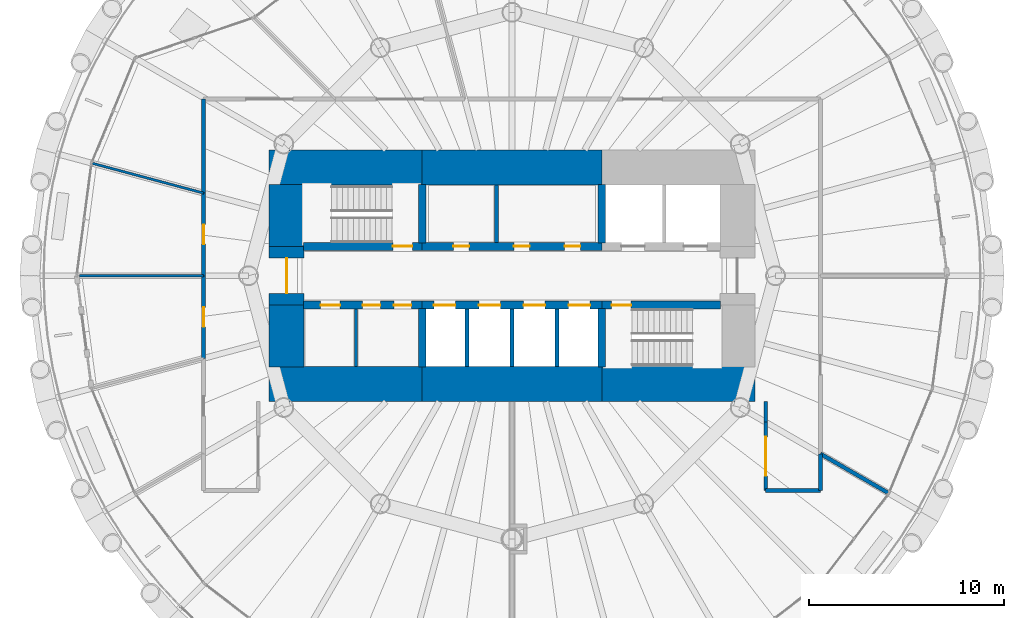
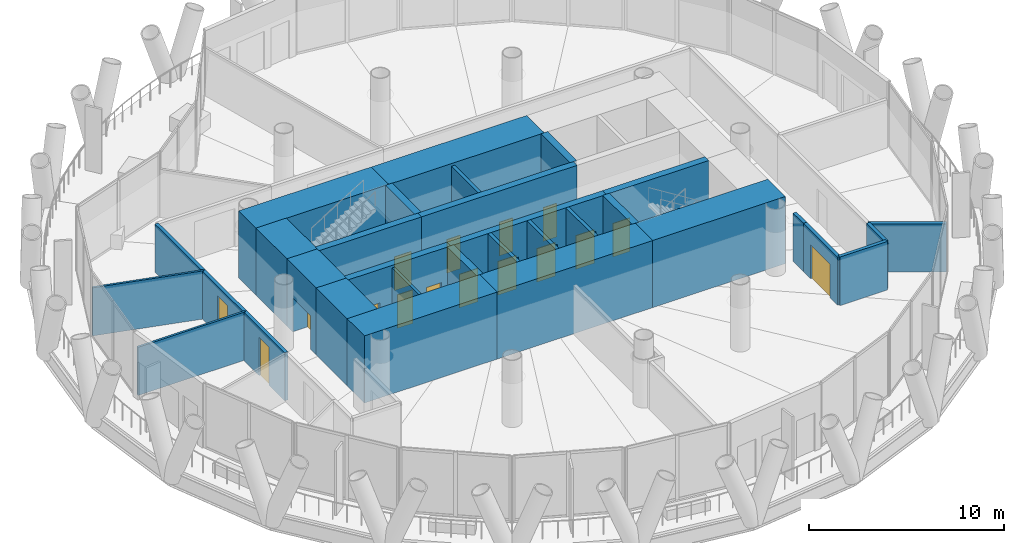
# One storey, part 9 of 14: 32 walls, 16 doors, 16 openings.
"""IFC4 building model written with IfcOpenShell, lengths in metres."""

from ifc_helpers import new_model, si_unit, direction, frame, frame_2d, origin, place, context, subcontext, project, spatial, rectangle, extrude, material, layer, layer_set, type_object, element, fill, save


model = new_model("IFC4")

# Units and contexts
model_context = context("Model", 3, precision=1e-05, world=origin(), true_north=direction((0.0, 1.0)))
body_context = subcontext(model_context, "Body", "Model", "MODEL_VIEW")
ifc_project = project(units=[si_unit("LENGTHUNIT", "METRE"), si_unit("AREAUNIT", "SQUARE_METRE"), si_unit("VOLUMEUNIT", "CUBIC_METRE"), si_unit("PLANEANGLEUNIT", "RADIAN"), si_unit("MASSUNIT", "GRAM", prefix="KILO")], contexts=[model_context])

# Site, building, storey
site_placement = place(None, origin())
site = spatial("IfcSite", under=ifc_project, at=site_placement, CompositionType="ELEMENT")
building_placement = place(site_placement, origin())
building = spatial("IfcBuilding", under=site, at=building_placement, Name="Qaws Media Tower", CompositionType="ELEMENT")
storey_placement = place(building_placement, frame((0.0, 0.0, 160.39990234375)))
storey = spatial("IfcBuildingStorey", under=building, at=storey_placement, Name="L36", CompositionType="ELEMENT", Elevation=160.39990234375)

# Wall, opening, door
ifc_material_1 = material(Name="Concrete C60/75", Category="concrete")
ifc_layer_1 = layer(ifc_material_1, 0.39990234375)
ifc_layer_set_1 = layer_set([ifc_layer_1], Name="Core inner wall 400")
wall_type_1 = type_object("IfcWallType", Name="Core inner wall 400", PredefinedType="SHEAR", material=ifc_layer_set_1)
wall_1_placement = place(storey_placement, frame((49.330078125, 51.5, 0.0), z_axis=(0.0, 0.0, 1.0), x_axis=(1.0, 0.0, 0.0)))
wall_1 = element("IfcWall", 1, at=wall_1_placement, inside=storey, type_object=wall_type_1, Name="W321 SW4 core wall SPNW L36", PredefinedType="SHEAR", context=body_context, shape_type="SweptSolid", body=[
    extrude(rectangle(XDim=6.06982421875, YDim=0.39990234375, at=frame_2d((3.034912109375, 0.0))), origin(), (0.0, 0.0, 1.0), 4.2001953125),
])
opening_1_placement = place(wall_1_placement, frame((4.570068359375, 0.0, 0.0)))
opening_1 = element("IfcOpeningElement", 2, at=opening_1_placement, cuts=wall_1, Name="Opening D1", PredefinedType="OPENING", context=body_context, shape_type="SweptSolid", body=[
    extrude(rectangle(XDim=1.0, YDim=2.10009765625, at=frame_2d((0.5, 1.050048828125))), frame((0.0, 0.2099609375, 0.0), z_axis=(0.0, -1.0, 0.0), x_axis=(1.0, 0.0, 0.0)), (0.0, 0.0, 1.0), 0.419921875),
])
ifc_material_2 = material(Name="Steel, fire rated", Category="steel")
door_type_1 = type_object("IfcDoorType", Name="Stair door 1000 FD120", OperationType="SINGLE_SWING_LEFT", PredefinedType="DOOR", material=ifc_material_2)
door_1_placement = place(opening_1_placement, origin())
door_1 = element("IfcDoor", 3, at=door_1_placement, inside=storey, type_object=door_type_1, Name="D1 stair S1 door L36 in wall W321", OperationType="SINGLE_SWING_LEFT", OverallHeight=2.10009765625, OverallWidth=1.0, PredefinedType="DOOR", context=body_context, shape_type="SweptSolid", body=[
    extrude(rectangle(XDim=1.0, YDim=2.10009765625, at=frame_2d((0.5, 1.050048828125))), frame((0.0, 0.02490234375, 0.0), z_axis=(0.0, -1.0, 0.0), x_axis=(1.0, 0.0, 0.0)), (0.0, 0.0, 1.0), 0.050048828125),
])
fill(opening_1, door_1)

# Wall, openings, doors
wall_2_placement = place(storey_placement, frame((55.39990234375, 51.5, 0.0), z_axis=(0.0, 0.0, 1.0), x_axis=(1.0, 0.0, 0.0)))
wall_2 = element("IfcWall", 4, at=wall_2_placement, inside=storey, type_object=wall_type_1, Name="W314 SW4 core wall SPN L36", PredefinedType="SHEAR", context=body_context, shape_type="SweptSolid", body=[
    extrude(rectangle(XDim=9.2001953125, YDim=0.39990234375, at=frame_2d((4.60009765625, 0.0))), origin(), (0.0, 0.0, 1.0), 4.2001953125),
])
opening_2_placement = place(wall_2_placement, frame((1.60009765625, 0.0, 0.0)))
opening_2 = element("IfcOpeningElement", 5, at=opening_2_placement, cuts=wall_2, Name="Opening D23", PredefinedType="OPENING", context=body_context, shape_type="SweptSolid", body=[
    extrude(rectangle(XDim=0.800048828125, YDim=2.10009765625, at=frame_2d((0.39990234375, 1.050048828125))), frame((0.0, 0.2099609375, 0.0), z_axis=(0.0, -1.0, 0.0), x_axis=(1.0, 0.0, 0.0)), (0.0, 0.0, 1.0), 0.419921875),
])
opening_3_placement = place(wall_2_placement, frame((4.699951171875, 0.0, 0.0)))
opening_3 = element("IfcOpeningElement", 6, at=opening_3_placement, cuts=wall_2, Name="Opening D23", PredefinedType="OPENING", context=body_context, shape_type="SweptSolid", body=[
    extrude(rectangle(XDim=0.800048828125, YDim=2.10009765625, at=frame_2d((0.39990234375, 1.050048828125))), frame((0.0, 0.2099609375, 0.0), z_axis=(0.0, -1.0, 0.0), x_axis=(1.0, 0.0, 0.0)), (0.0, 0.0, 1.0), 0.419921875),
])
opening_4_placement = place(wall_2_placement, frame((7.300048828125, 0.0, 0.0)))
opening_4 = element("IfcOpeningElement", 7, at=opening_4_placement, cuts=wall_2, Name="Opening D23", PredefinedType="OPENING", context=body_context, shape_type="SweptSolid", body=[
    extrude(rectangle(XDim=0.800048828125, YDim=2.10009765625, at=frame_2d((0.39990234375, 1.050048828125))), frame((0.0, 0.2099609375, 0.0), z_axis=(0.0, -1.0, 0.0), x_axis=(1.0, 0.0, 0.0)), (0.0, 0.0, 1.0), 0.419921875),
])
ifc_material_3 = material(Name="Steel, fire rated", Category="steel")
door_type_2 = type_object("IfcDoorType", Name="Core room door 800x2100", OperationType="SINGLE_SWING_LEFT", PredefinedType="DOOR", material=ifc_material_3)
door_2_placement = place(opening_2_placement, origin())
door_2 = element("IfcDoor", 8, at=door_2_placement, inside=storey, type_object=door_type_2, Name="D23 Ladies toilets door L36 in wall W314", OperationType="SINGLE_SWING_LEFT", OverallHeight=2.10009765625, OverallWidth=0.800048828125, PredefinedType="DOOR", context=body_context, shape_type="SweptSolid", body=[
    extrude(rectangle(XDim=0.800048828125, YDim=2.10009765625, at=frame_2d((0.39990234375, 1.050048828125))), frame((0.0, 0.02490234375, 0.0), z_axis=(0.0, -1.0, 0.0), x_axis=(1.0, 0.0, 0.0)), (0.0, 0.0, 1.0), 0.050048828125),
])
fill(opening_2, door_2)
door_3_placement = place(opening_3_placement, origin())
door_3 = element("IfcDoor", 9, at=door_3_placement, inside=storey, type_object=door_type_2, Name="D23 Gents toilets door L36 2 in wall W314", OperationType="SINGLE_SWING_LEFT", OverallHeight=2.10009765625, OverallWidth=0.800048828125, PredefinedType="DOOR", context=body_context, shape_type="SweptSolid", body=[
    extrude(rectangle(XDim=0.800048828125, YDim=2.10009765625, at=frame_2d((0.39990234375, 1.050048828125))), frame((0.0, 0.02490234375, 0.0), z_axis=(0.0, -1.0, 0.0), x_axis=(1.0, 0.0, 0.0)), (0.0, 0.0, 1.0), 0.050048828125),
])
fill(opening_3, door_3)
door_4_placement = place(opening_4_placement, origin())
door_4 = element("IfcDoor", 10, at=door_4_placement, inside=storey, type_object=door_type_2, Name="D23 Gents toilets door L36 3 in wall W314", OperationType="SINGLE_SWING_LEFT", OverallHeight=2.10009765625, OverallWidth=0.800048828125, PredefinedType="DOOR", context=body_context, shape_type="SweptSolid", body=[
    extrude(rectangle(XDim=0.800048828125, YDim=2.10009765625, at=frame_2d((0.39990234375, 1.050048828125))), frame((0.0, 0.02490234375, 0.0), z_axis=(0.0, -1.0, 0.0), x_axis=(1.0, 0.0, 0.0)), (0.0, 0.0, 1.0), 0.050048828125),
])
fill(opening_4, door_4)

wall_3_placement = place(storey_placement, frame((49.330078125, 48.5, 0.0), z_axis=(0.0, 0.0, 1.0), x_axis=(1.0, 0.0, 0.0)))
wall_3 = element("IfcWall", 11, at=wall_3_placement, inside=storey, type_object=wall_type_1, Name="W320 SW4 core wall SPSW L36", PredefinedType="SHEAR", context=body_context, shape_type="SweptSolid", body=[
    extrude(rectangle(XDim=6.06982421875, YDim=0.39990234375, at=frame_2d((3.034912109375, 0.0))), origin(), (0.0, 0.0, 1.0), 4.2001953125),
])
opening_5_placement = place(wall_3_placement, frame((0.8701171875, 0.0, 0.0)))
opening_5 = element("IfcOpeningElement", 12, at=opening_5_placement, cuts=wall_3, Name="Opening D4", PredefinedType="OPENING", context=body_context, shape_type="SweptSolid", body=[
    extrude(rectangle(XDim=1.0, YDim=2.10009765625, at=frame_2d((0.5, 1.050048828125))), frame((0.0, 0.2099609375, 0.0), z_axis=(0.0, -1.0, 0.0), x_axis=(1.0, 0.0, 0.0)), (0.0, 0.0, 1.0), 0.419921875),
])
opening_6_placement = place(wall_3_placement, frame((3.02001953125, 0.0, 0.0)))
opening_6 = element("IfcOpeningElement", 13, at=opening_6_placement, cuts=wall_3, Name="Opening D3", PredefinedType="OPENING", context=body_context, shape_type="SweptSolid", body=[
    extrude(rectangle(XDim=0.89990234375, YDim=2.10009765625, at=frame_2d((0.449951171875, 1.050048828125))), frame((0.0, 0.2099609375, 0.0), z_axis=(0.0, -1.0, 0.0), x_axis=(1.0, 0.0, 0.0)), (0.0, 0.0, 1.0), 0.419921875),
])
opening_7_placement = place(wall_3_placement, frame((4.6201171875, 0.0, 0.0)))
opening_7 = element("IfcOpeningElement", 14, at=opening_7_placement, cuts=wall_3, Name="Opening D3", PredefinedType="OPENING", context=body_context, shape_type="SweptSolid", body=[
    extrude(rectangle(XDim=0.89990234375, YDim=2.10009765625, at=frame_2d((0.449951171875, 1.050048828125))), frame((0.0, 0.2099609375, 0.0), z_axis=(0.0, -1.0, 0.0), x_axis=(1.0, 0.0, 0.0)), (0.0, 0.0, 1.0), 0.419921875),
])
ifc_material_4 = material(Name="Timber veneered", Category="wood")
door_type_3 = type_object("IfcDoorType", Name="Accessible WC door 1000", OperationType="SLIDING_TO_LEFT", PredefinedType="DOOR", material=ifc_material_4)
door_5_placement = place(opening_5_placement, origin())
door_5 = element("IfcDoor", 15, at=door_5_placement, inside=storey, type_object=door_type_3, Name="D4 toilet door 1 L36 in wall W320", OperationType="SLIDING_TO_LEFT", OverallHeight=2.10009765625, OverallWidth=1.0, PredefinedType="DOOR", context=body_context, shape_type="SweptSolid", body=[
    extrude(rectangle(XDim=1.0, YDim=2.10009765625, at=frame_2d((0.5, 1.050048828125))), frame((0.0, 0.02490234375, 0.0), z_axis=(0.0, -1.0, 0.0), x_axis=(1.0, 0.0, 0.0)), (0.0, 0.0, 1.0), 0.050048828125),
])
fill(opening_5, door_5)
ifc_material_5 = material(Name="Timber veneered", Category="wood")
door_type_4 = type_object("IfcDoorType", Name="Toilet door 900", OperationType="SINGLE_SWING_RIGHT", PredefinedType="DOOR", material=ifc_material_5)
door_6_placement = place(opening_6_placement, origin())
door_6 = element("IfcDoor", 16, at=door_6_placement, inside=storey, type_object=door_type_4, Name="D3 toilet door 2 L36 in wall W320", OperationType="SINGLE_SWING_RIGHT", OverallHeight=2.10009765625, OverallWidth=0.89990234375, PredefinedType="DOOR", context=body_context, shape_type="SweptSolid", body=[
    extrude(rectangle(XDim=0.89990234375, YDim=2.10009765625, at=frame_2d((0.449951171875, 1.050048828125))), frame((0.0, 0.02490234375, 0.0), z_axis=(0.0, -1.0, 0.0), x_axis=(1.0, 0.0, 0.0)), (0.0, 0.0, 1.0), 0.050048828125),
])
fill(opening_6, door_6)
door_7_placement = place(opening_7_placement, origin())
door_7 = element("IfcDoor", 17, at=door_7_placement, inside=storey, type_object=door_type_4, Name="D3 toilet door 3 L36 in wall W320", OperationType="SINGLE_SWING_RIGHT", OverallHeight=2.10009765625, OverallWidth=0.89990234375, PredefinedType="DOOR", context=body_context, shape_type="SweptSolid", body=[
    extrude(rectangle(XDim=0.89990234375, YDim=2.10009765625, at=frame_2d((0.449951171875, 1.050048828125))), frame((0.0, 0.02490234375, 0.0), z_axis=(0.0, -1.0, 0.0), x_axis=(1.0, 0.0, 0.0)), (0.0, 0.0, 1.0), 0.050048828125),
])
fill(opening_7, door_7)

wall_4_placement = place(storey_placement, frame((55.39990234375, 48.5, 0.0), z_axis=(0.0, 0.0, 1.0), x_axis=(1.0, 0.0, 0.0)))
wall_4 = element("IfcWall", 18, at=wall_4_placement, inside=storey, type_object=wall_type_1, Name="W313 SW4 core wall SPS L36", PredefinedType="SHEAR", context=body_context, shape_type="SweptSolid", body=[
    extrude(rectangle(XDim=9.2001953125, YDim=0.39990234375, at=frame_2d((4.60009765625, 0.0))), origin(), (0.0, 0.0, 1.0), 4.2001953125),
])
opening_8_placement = place(wall_4_placement, frame((0.60009765625, 0.0, 0.0)))
opening_8 = element("IfcOpeningElement", 19, at=opening_8_placement, cuts=wall_4, Name="Opening LD", PredefinedType="OPENING", context=body_context, shape_type="SweptSolid", body=[
    extrude(rectangle(XDim=1.10009765625, YDim=2.10009765625, at=frame_2d((0.550048828125, 1.050048828125))), frame((0.0, 0.2099609375, 0.0), z_axis=(0.0, -1.0, 0.0), x_axis=(1.0, 0.0, 0.0)), (0.0, 0.0, 1.0), 0.419921875),
])
opening_9_placement = place(wall_4_placement, frame((2.89990234375, 0.0, 0.0)))
opening_9 = element("IfcOpeningElement", 20, at=opening_9_placement, cuts=wall_4, Name="Opening LD", PredefinedType="OPENING", context=body_context, shape_type="SweptSolid", body=[
    extrude(rectangle(XDim=1.10009765625, YDim=2.10009765625, at=frame_2d((0.550048828125, 1.050048828125))), frame((0.0, 0.2099609375, 0.0), z_axis=(0.0, -1.0, 0.0), x_axis=(1.0, 0.0, 0.0)), (0.0, 0.0, 1.0), 0.419921875),
])
opening_10_placement = place(wall_4_placement, frame((5.199951171875, 0.0, 0.0)))
opening_10 = element("IfcOpeningElement", 21, at=opening_10_placement, cuts=wall_4, Name="Opening LD", PredefinedType="OPENING", context=body_context, shape_type="SweptSolid", body=[
    extrude(rectangle(XDim=1.10009765625, YDim=2.10009765625, at=frame_2d((0.550048828125, 1.050048828125))), frame((0.0, 0.2099609375, 0.0), z_axis=(0.0, -1.0, 0.0), x_axis=(1.0, 0.0, 0.0)), (0.0, 0.0, 1.0), 0.419921875),
])
opening_11_placement = place(wall_4_placement, frame((7.5, 0.0, 0.0)))
opening_11 = element("IfcOpeningElement", 22, at=opening_11_placement, cuts=wall_4, Name="Opening LD", PredefinedType="OPENING", context=body_context, shape_type="SweptSolid", body=[
    extrude(rectangle(XDim=1.10009765625, YDim=2.10009765625, at=frame_2d((0.550048828125, 1.050048828125))), frame((0.0, 0.2099609375, 0.0), z_axis=(0.0, -1.0, 0.0), x_axis=(1.0, 0.0, 0.0)), (0.0, 0.0, 1.0), 0.419921875),
])
ifc_material_6 = material(Name="Steel, fire rated", Category="steel")
door_type_5 = type_object("IfcDoorType", Name="Lift landing door 1100", OperationType="SLIDING_TO_LEFT", PredefinedType="DOOR", material=ifc_material_6)
door_8_placement = place(opening_8_placement, origin())
door_8 = element("IfcDoor", 23, at=door_8_placement, inside=storey, type_object=door_type_5, Name="P5 landing door L36 in wall W313", OperationType="SLIDING_TO_LEFT", OverallHeight=2.10009765625, OverallWidth=1.10009765625, PredefinedType="DOOR", context=body_context, shape_type="SweptSolid", body=[
    extrude(rectangle(XDim=1.10009765625, YDim=2.10009765625, at=frame_2d((0.550048828125, 1.050048828125))), frame((0.0, 0.02490234375, 0.0), z_axis=(0.0, -1.0, 0.0), x_axis=(1.0, 0.0, 0.0)), (0.0, 0.0, 1.0), 0.050048828125),
])
fill(opening_8, door_8)
door_9_placement = place(opening_9_placement, origin())
door_9 = element("IfcDoor", 24, at=door_9_placement, inside=storey, type_object=door_type_5, Name="P6 landing door L36 in wall W313", OperationType="SLIDING_TO_LEFT", OverallHeight=2.10009765625, OverallWidth=1.10009765625, PredefinedType="DOOR", context=body_context, shape_type="SweptSolid", body=[
    extrude(rectangle(XDim=1.10009765625, YDim=2.10009765625, at=frame_2d((0.550048828125, 1.050048828125))), frame((0.0, 0.02490234375, 0.0), z_axis=(0.0, -1.0, 0.0), x_axis=(1.0, 0.0, 0.0)), (0.0, 0.0, 1.0), 0.050048828125),
])
fill(opening_9, door_9)
door_10_placement = place(opening_10_placement, origin())
door_10 = element("IfcDoor", 25, at=door_10_placement, inside=storey, type_object=door_type_5, Name="P7 landing door L36 in wall W313", OperationType="SLIDING_TO_LEFT", OverallHeight=2.10009765625, OverallWidth=1.10009765625, PredefinedType="DOOR", context=body_context, shape_type="SweptSolid", body=[
    extrude(rectangle(XDim=1.10009765625, YDim=2.10009765625, at=frame_2d((0.550048828125, 1.050048828125))), frame((0.0, 0.02490234375, 0.0), z_axis=(0.0, -1.0, 0.0), x_axis=(1.0, 0.0, 0.0)), (0.0, 0.0, 1.0), 0.050048828125),
])
fill(opening_10, door_10)
door_11_placement = place(opening_11_placement, origin())
door_11 = element("IfcDoor", 26, at=door_11_placement, inside=storey, type_object=door_type_5, Name="P8 landing door L36 in wall W313", OperationType="SLIDING_TO_LEFT", OverallHeight=2.10009765625, OverallWidth=1.10009765625, PredefinedType="DOOR", context=body_context, shape_type="SweptSolid", body=[
    extrude(rectangle(XDim=1.10009765625, YDim=2.10009765625, at=frame_2d((0.550048828125, 1.050048828125))), frame((0.0, 0.02490234375, 0.0), z_axis=(0.0, -1.0, 0.0), x_axis=(1.0, 0.0, 0.0)), (0.0, 0.0, 1.0), 0.050048828125),
])
fill(opening_11, door_11)

# Wall, opening, door
wall_5_placement = place(storey_placement, frame((64.60009765625, 48.5, 0.0), z_axis=(0.0, 0.0, 1.0), x_axis=(1.0, 0.0, 0.0)))
wall_5 = element("IfcWall", 27, at=wall_5_placement, inside=storey, type_object=wall_type_1, Name="W325 SW4 core wall SPSE L36", PredefinedType="SHEAR", context=body_context, shape_type="SweptSolid", body=[
    extrude(rectangle(XDim=6.06982421875, YDim=0.39990234375, at=frame_2d((3.034912109375, 0.0))), origin(), (0.0, 0.0, 1.0), 4.2001953125),
])
opening_12_placement = place(wall_5_placement, frame((0.5, 0.0, 0.0)))
opening_12 = element("IfcOpeningElement", 28, at=opening_12_placement, cuts=wall_5, Name="Opening D1", PredefinedType="OPENING", context=body_context, shape_type="SweptSolid", body=[
    extrude(rectangle(XDim=1.0, YDim=2.10009765625, at=frame_2d((0.5, 1.050048828125))), frame((0.0, 0.2099609375, 0.0), z_axis=(0.0, -1.0, 0.0), x_axis=(1.0, 0.0, 0.0)), (0.0, 0.0, 1.0), 0.419921875),
])
door_12_placement = place(opening_12_placement, origin())
door_12 = element("IfcDoor", 29, at=door_12_placement, inside=storey, type_object=door_type_1, Name="D1 stair S2 door L36 in wall W325", OperationType="SINGLE_SWING_LEFT", OverallHeight=2.10009765625, OverallWidth=1.0, PredefinedType="DOOR", context=body_context, shape_type="SweptSolid", body=[
    extrude(rectangle(XDim=1.0, YDim=2.10009765625, at=frame_2d((0.5, 1.050048828125))), frame((0.0, 0.02490234375, 0.0), z_axis=(0.0, -1.0, 0.0), x_axis=(1.0, 0.0, 0.0)), (0.0, 0.0, 1.0), 0.050048828125),
])
fill(opening_12, door_12)

# Walls
for number, where, z_axis, x_axis, name in (
    (30, (55.39990234375, 51.679931640625, 0.0), (0.0, 0.0, 1.0), (0.0, 1.0, 0.0), "W323 SW4 core wall XNW L36"),
    (31, (64.60009765625, 51.679931640625, 0.0), (0.0, 0.0, 1.0), (0.0, 1.0, 0.0), "W327 SW4 core wall XNE L36"),
    (32, (55.39990234375, 48.320068359375, 0.0), (0.0, 0.0, 1.0), (0.0, -1.0, 0.0), "W322 SW4 core wall XSW L36"),
    (33, (64.60009765625, 48.320068359375, 0.0), (0.0, 0.0, 1.0), (0.0, -1.0, 0.0), "W324 SW4 core wall XSE L36"),
):
    element("IfcWall", number, at=place(storey_placement, frame(where, z_axis=z_axis, x_axis=x_axis)), inside=storey, type_object=wall_type_1, Name=name, PredefinedType="SHEAR", context=body_context, shape_type="SweptSolid", body=[
        extrude(rectangle(XDim=2.989990234375, YDim=0.39990234375, at=frame_2d((1.4951171875, 0.0))), origin(), (0.0, 0.0, 1.0), 4.2001953125),
    ])
ifc_material_7 = material(Name="Concrete C60/75", Category="concrete")
ifc_layer_2 = layer(ifc_material_7, 1.800048828125)
ifc_layer_set_2 = layer_set([ifc_layer_2], Name="Core wall 1800")
wall_type_2 = type_object("IfcWallType", Name="Core wall 1800", PredefinedType="SHEAR", material=ifc_layer_set_2)
wall_6_placement = place(storey_placement, frame((47.550048828125, 55.550048828125, 0.0), z_axis=(0.0, 0.0, 1.0), x_axis=(1.0, 0.0, 0.0)))
element("IfcWall", 34, at=wall_6_placement, inside=storey, type_object=wall_type_2, Name="W417 SW11 core wall NW L36", PredefinedType="SHEAR", context=body_context, shape_type="SweptSolid", body=[
    extrude(rectangle(XDim=7.849853515625, YDim=1.800048828125, at=frame_2d((3.9248046875, 0.0))), origin(), (0.0, 0.0, 1.0), 4.2001953125),
])
wall_7_placement = place(storey_placement, frame((55.39990234375, 55.550048828125, 0.0), z_axis=(0.0, 0.0, 1.0), x_axis=(1.0, 0.0, 0.0)))
element("IfcWall", 35, at=wall_7_placement, inside=storey, type_object=wall_type_2, Name="W421 SW11 core wall N L36", PredefinedType="SHEAR", context=body_context, shape_type="SweptSolid", body=[
    extrude(rectangle(XDim=9.2001953125, YDim=1.800048828125, at=frame_2d((4.60009765625, 0.0))), origin(), (0.0, 0.0, 1.0), 4.2001953125),
])
wall_8_placement = place(storey_placement, frame((47.550048828125, 44.449951171875, 0.0), z_axis=(0.0, 0.0, 1.0), x_axis=(1.0, 0.0, 0.0)))
element("IfcWall", 36, at=wall_8_placement, inside=storey, type_object=wall_type_2, Name="W416 SW11 core wall SW L36", PredefinedType="SHEAR", context=body_context, shape_type="SweptSolid", body=[
    extrude(rectangle(XDim=7.849853515625, YDim=1.800048828125, at=frame_2d((3.9248046875, 0.0))), origin(), (0.0, 0.0, 1.0), 4.2001953125),
])
wall_9_placement = place(storey_placement, frame((55.39990234375, 44.449951171875, 0.0), z_axis=(0.0, 0.0, 1.0), x_axis=(1.0, 0.0, 0.0)))
element("IfcWall", 37, at=wall_9_placement, inside=storey, type_object=wall_type_2, Name="W420 SW11 core wall S L36", PredefinedType="SHEAR", context=body_context, shape_type="SweptSolid", body=[
    extrude(rectangle(XDim=9.2001953125, YDim=1.800048828125, at=frame_2d((4.60009765625, 0.0))), origin(), (0.0, 0.0, 1.0), 4.2001953125),
])
wall_10_placement = place(storey_placement, frame((64.60009765625, 44.449951171875, 0.0), z_axis=(0.0, 0.0, 1.0), x_axis=(1.0, 0.0, 0.0)))
element("IfcWall", 38, at=wall_10_placement, inside=storey, type_object=wall_type_2, Name="W422 SW11 core wall SE L36", PredefinedType="SHEAR", context=body_context, shape_type="SweptSolid", body=[
    extrude(rectangle(XDim=7.849853515625, YDim=1.800048828125, at=frame_2d((3.9248046875, 0.0))), origin(), (0.0, 0.0, 1.0), 4.2001953125),
])
wall_11_placement = place(storey_placement, frame((48.449951171875, 45.330078125, 0.0), z_axis=(0.0, 0.0, 1.0), x_axis=(0.0, 1.0, 0.0)))
element("IfcWall", 39, at=wall_11_placement, inside=storey, type_object=wall_type_2, Name="W418 SW11 core wall WS L36", PredefinedType="SHEAR", context=body_context, shape_type="SweptSolid", body=[
    extrude(rectangle(XDim=3.169921875, YDim=1.800048828125, at=frame_2d((1.5849609375, 0.0))), origin(), (0.0, 0.0, 1.0), 4.2001953125),
])

# Wall, opening, door
wall_12_placement = place(storey_placement, frame((48.449951171875, 48.5, 0.0), z_axis=(0.0, 0.0, 1.0), x_axis=(0.0, 1.0, 0.0)))
wall_12 = element("IfcWall", 40, at=wall_12_placement, inside=storey, type_object=wall_type_2, Name="W426 SW11 core wall W L36", PredefinedType="SHEAR", context=body_context, shape_type="SweptSolid", body=[
    extrude(rectangle(XDim=3.0, YDim=1.800048828125, at=frame_2d((1.5, 0.0))), origin(), (0.0, 0.0, 1.0), 4.2001953125),
])
opening_13_placement = place(wall_12_placement, frame((0.60009765625, 0.0, 0.0)))
opening_13 = element("IfcOpeningElement", 41, at=opening_13_placement, cuts=wall_12, Name="Opening D2", PredefinedType="OPENING", context=body_context, shape_type="SweptSolid", body=[
    extrude(rectangle(XDim=1.800048828125, YDim=2.10009765625, at=frame_2d((0.89990234375, 1.050048828125))), frame((0.0, 0.909912109375, 0.0), z_axis=(0.0, -1.0, 0.0), x_axis=(1.0, 0.0, 0.0)), (0.0, 0.0, 1.0), 1.820068359375),
])
ifc_material_8 = material(Name="Steel and glass, fire rated", Category="steel")
door_type_6 = type_object("IfcDoorType", Name="Lobby door pair 1800 FD60", OperationType="DOUBLE_DOOR_DOUBLE_SWING", PredefinedType="DOOR", material=ifc_material_8)
door_13_placement = place(opening_13_placement, origin())
door_13 = element("IfcDoor", 42, at=door_13_placement, inside=storey, type_object=door_type_6, Name="D2 core lobby door W L36 in wall W426", OperationType="DOUBLE_DOOR_DOUBLE_SWING", OverallHeight=2.10009765625, OverallWidth=1.800048828125, PredefinedType="DOOR", context=body_context, shape_type="SweptSolid", body=[
    extrude(rectangle(XDim=1.800048828125, YDim=2.10009765625, at=frame_2d((0.89990234375, 1.050048828125))), frame((0.0, 0.02490234375, 0.0), z_axis=(0.0, -1.0, 0.0), x_axis=(1.0, 0.0, 0.0)), (0.0, 0.0, 1.0), 0.050048828125),
])
fill(opening_13, door_13)

# Walls
wall_13_placement = place(storey_placement, frame((48.449951171875, 51.5, 0.0), z_axis=(0.0, 0.0, 1.0), x_axis=(0.0, 1.0, 0.0)))
element("IfcWall", 43, at=wall_13_placement, inside=storey, type_object=wall_type_2, Name="W419 SW11 core wall WN L36", PredefinedType="SHEAR", context=body_context, shape_type="SweptSolid", body=[
    extrude(rectangle(XDim=3.169921875, YDim=1.800048828125, at=frame_2d((1.5849609375, 0.0))), origin(), (0.0, 0.0, 1.0), 4.2001953125),
])
ifc_material_9 = material(Name="Two layers gypsum board each side on 75 studs, insulated", Category="gypsum")
ifc_layer_3 = layer(ifc_material_9, 0.125)
ifc_layer_set_3 = layer_set([ifc_layer_3], Name="Meeting room partition 125 Rw 48")
wall_type_3 = type_object("IfcWallType", Name="Meeting room partition 125 Rw 48", PredefinedType="PARTITIONING", material=ifc_layer_set_3)
wall_14_placement = place(storey_placement, frame((44.197509765625, 54.234375, 0.0), z_axis=(0.0, 0.0, 1.0), x_axis=(-0.965933460469, 0.258790552276, 0.0)))
element("IfcWall", 44, at=wall_14_placement, inside=storey, type_object=wall_type_3, Name="W567 IW5 partition L36", PredefinedType="PARTITIONING", context=body_context, shape_type="SweptSolid", body=[
    extrude(rectangle(XDim=5.89990234375, YDim=0.125, at=frame_2d((2.949951171875, 0.0))), origin(), (0.0, 0.0, 1.0), 3.01220703125),
])
wall_15_placement = place(storey_placement, frame((44.199951171875, 50.0, 0.0), z_axis=(0.0, 0.0, 1.0), x_axis=(-1.0, 0.0, 0.0)))
element("IfcWall", 45, at=wall_15_placement, inside=storey, type_object=wall_type_3, Name="W568 IW5 partition L36", PredefinedType="PARTITIONING", context=body_context, shape_type="SweptSolid", body=[
    extrude(rectangle(XDim=6.35986328125, YDim=0.125, at=frame_2d((3.179931640625, 0.0))), origin(), (0.0, 0.0, 1.0), 3.01220703125),
])
ifc_material_10 = material(Name="Gypsum board on galvanised metal studs, acoustic double stud, deflection head", Category="gypsum")
ifc_layer_4 = layer(ifc_material_10, 0.199951171875)
ifc_layer_set_4 = layer_set([ifc_layer_4], Name="Room partition 200")
wall_type_4 = type_object("IfcWallType", Name="Room partition 200", PredefinedType="PARTITIONING", material=ifc_layer_set_4)
wall_16_placement = place(storey_placement, frame((75.800048828125, 40.8779296875, 0.0), z_axis=(0.0, 0.0, 1.0), x_axis=(0.0, -1.0, 0.0)))
element("IfcWall", 46, at=wall_16_placement, inside=storey, type_object=wall_type_4, Name="W1374 IW3 partition L36", PredefinedType="PARTITIONING", context=body_context, shape_type="SweptSolid", body=[
    extrude(rectangle(XDim=1.8779296875, YDim=0.199951171875, at=frame_2d((0.93896484375, 0.0))), origin(), (0.0, 0.0, 1.0), 3.01220703125),
])
wall_17_placement = place(storey_placement, frame((75.800048828125, 39.0, 0.0), z_axis=(0.0, 0.0, 1.0), x_axis=(-1.0, 0.0, 0.0)))
element("IfcWall", 47, at=wall_17_placement, inside=storey, type_object=wall_type_4, Name="W1231 IW3 partition L36", PredefinedType="PARTITIONING", context=body_context, shape_type="SweptSolid", body=[
    extrude(rectangle(XDim=2.800048828125, YDim=0.199951171875, at=frame_2d((1.39990234375, 0.0))), origin(), (0.0, 0.0, 1.0), 3.0400390625),
])

# Wall, opening, door
wall_18_placement = place(storey_placement, frame((73.0, 39.0, 0.0), z_axis=(0.0, 0.0, 1.0), x_axis=(0.0, 1.0, 0.0)))
wall_18 = element("IfcWall", 48, at=wall_18_placement, inside=storey, type_object=wall_type_4, Name="W1371 IW3 partition L36", PredefinedType="PARTITIONING", context=body_context, shape_type="SweptSolid", body=[
    extrude(rectangle(XDim=3.494384765625, YDim=0.199951171875, at=frame_2d((1.7470703125, 0.0))), origin(), (0.0, 0.0, 1.0), 3.01220703125),
])
opening_14_placement = place(wall_18_placement, frame((0.747314453125, 0.0, 0.0)))
opening_14 = element("IfcOpeningElement", 49, at=opening_14_placement, cuts=wall_18, Name="Opening D6", PredefinedType="OPENING", context=body_context, shape_type="SweptSolid", body=[
    extrude(rectangle(XDim=2.0, YDim=2.10009765625, at=frame_2d((1.0, 1.050048828125))), frame((0.0, 0.10986328125, 0.0), z_axis=(0.0, -1.0, 0.0), x_axis=(1.0, 0.0, 0.0)), (0.0, 0.0, 1.0), 0.219970703125),
])
ifc_material_11 = material(Name="Steel, acoustic, fire rated", Category="steel")
door_type_7 = type_object("IfcDoorType", Name="Room door pair 2000", OperationType="DOUBLE_DOOR_DOUBLE_SWING", PredefinedType="DOOR", material=ifc_material_11)
door_14_placement = place(opening_14_placement, origin())
door_14 = element("IfcDoor", 50, at=door_14_placement, inside=storey, type_object=door_type_7, Name="D6 HR office door L36 in wall W1371", OperationType="DOUBLE_DOOR_DOUBLE_SWING", OverallHeight=2.10009765625, OverallWidth=2.0, PredefinedType="DOOR", context=body_context, shape_type="SweptSolid", body=[
    extrude(rectangle(XDim=2.0, YDim=2.10009765625, at=frame_2d((1.0, 1.050048828125))), frame((0.0, 0.02490234375, 0.0), z_axis=(0.0, -1.0, 0.0), x_axis=(1.0, 0.0, 0.0)), (0.0, 0.0, 1.0), 0.050048828125),
])
fill(opening_14, door_14)

# Wall
wall_19_placement = place(storey_placement, frame((73.0, 42.494384765625, 0.0), z_axis=(0.0, 0.0, 1.0), x_axis=(0.0, 1.0, 0.0)))
element("IfcWall", 51, at=wall_19_placement, inside=storey, type_object=wall_type_4, Name="W1372 IW3 partition L36", PredefinedType="PARTITIONING", context=body_context, shape_type="SweptSolid", body=[
    extrude(rectangle(XDim=1.0556640625, YDim=0.199951171875, at=frame_2d((0.52783203125, 0.0))), origin(), (0.0, 0.0, 1.0), 3.01220703125),
])

# Wall, opening, door
wall_20_placement = place(storey_placement, frame((44.199951171875, 45.766357421875, 0.0), z_axis=(0.0, 0.0, 1.0), x_axis=(0.0, 1.0, 0.0)))
wall_20 = element("IfcWall", 52, at=wall_20_placement, inside=storey, type_object=wall_type_4, Name="W1362 IW3 partition L36", PredefinedType="PARTITIONING", context=body_context, shape_type="SweptSolid", body=[
    extrude(rectangle(XDim=4.233642578125, YDim=0.199951171875, at=frame_2d((2.11669921875, 0.0))), origin(), (0.0, 0.0, 1.0), 3.01220703125),
])
opening_15_placement = place(wall_20_placement, frame((1.61669921875, 0.0, 0.0)))
opening_15 = element("IfcOpeningElement", 53, at=opening_15_placement, cuts=wall_20, Name="Opening D13", PredefinedType="OPENING", context=body_context, shape_type="SweptSolid", body=[
    extrude(rectangle(XDim=1.0, YDim=2.39990234375, at=frame_2d((0.5, 1.199951171875))), frame((0.0, 0.10986328125, 0.0), z_axis=(0.0, -1.0, 0.0), x_axis=(1.0, 0.0, 0.0)), (0.0, 0.0, 1.0), 0.219970703125),
])
ifc_material_12 = material(Name="Frameless toughened glass, acoustic seals", Category="glass")
door_type_8 = type_object("IfcDoorType", Name="Glazed meeting room door 1000x2400", OperationType="SINGLE_SWING_LEFT", PredefinedType="DOOR", material=ifc_material_12)
door_15_placement = place(opening_15_placement, origin())
door_15 = element("IfcDoor", 54, at=door_15_placement, inside=storey, type_object=door_type_8, Name="D13 Interview room door L36 in wall W1362", OperationType="SINGLE_SWING_LEFT", OverallHeight=2.39990234375, OverallWidth=1.0, PredefinedType="DOOR", context=body_context, shape_type="SweptSolid", body=[
    extrude(rectangle(XDim=1.0, YDim=2.39990234375, at=frame_2d((0.5, 1.199951171875))), frame((0.0, 0.02490234375, 0.0), z_axis=(0.0, -1.0, 0.0), x_axis=(1.0, 0.0, 0.0)), (0.0, 0.0, 1.0), 0.050048828125),
])
fill(opening_15, door_15)

wall_21_placement = place(storey_placement, frame((44.199951171875, 50.0, 0.0), z_axis=(0.0, 0.0, 1.0), x_axis=(0.0, 1.0, 0.0)))
wall_21 = element("IfcWall", 55, at=wall_21_placement, inside=storey, type_object=wall_type_4, Name="W1363 IW3 partition L36", PredefinedType="PARTITIONING", context=body_context, shape_type="SweptSolid", body=[
    extrude(rectangle(XDim=4.233642578125, YDim=0.199951171875, at=frame_2d((2.11669921875, 0.0))), origin(), (0.0, 0.0, 1.0), 3.01220703125),
])
opening_16_placement = place(wall_21_placement, frame((1.61669921875, 0.0, 0.0)))
opening_16 = element("IfcOpeningElement", 56, at=opening_16_placement, cuts=wall_21, Name="Opening D13", PredefinedType="OPENING", context=body_context, shape_type="SweptSolid", body=[
    extrude(rectangle(XDim=1.0, YDim=2.39990234375, at=frame_2d((0.5, 1.199951171875))), frame((0.0, 0.10986328125, 0.0), z_axis=(0.0, -1.0, 0.0), x_axis=(1.0, 0.0, 0.0)), (0.0, 0.0, 1.0), 0.219970703125),
])
door_16_placement = place(opening_16_placement, origin())
door_16 = element("IfcDoor", 57, at=door_16_placement, inside=storey, type_object=door_type_8, Name="D13 Interview room door L36 in wall W1363", OperationType="SINGLE_SWING_LEFT", OverallHeight=2.39990234375, OverallWidth=1.0, PredefinedType="DOOR", context=body_context, shape_type="SweptSolid", body=[
    extrude(rectangle(XDim=1.0, YDim=2.39990234375, at=frame_2d((0.5, 1.199951171875))), frame((0.0, 0.02490234375, 0.0), z_axis=(0.0, -1.0, 0.0), x_axis=(1.0, 0.0, 0.0)), (0.0, 0.0, 1.0), 0.050048828125),
])
fill(opening_16, door_16)

# Walls
wall_22_placement = place(storey_placement, frame((44.199951171875, 54.233642578125, 0.0), z_axis=(0.0, 0.0, 1.0), x_axis=(0.0, 1.0, 0.0)))
element("IfcWall", 58, at=wall_22_placement, inside=storey, type_object=wall_type_4, Name="W1364 IW3 partition L36", PredefinedType="PARTITIONING", context=body_context, shape_type="SweptSolid", body=[
    extrude(rectangle(XDim=4.81640625, YDim=0.199951171875, at=frame_2d((2.408203125, 0.0))), origin(), (0.0, 0.0, 1.0), 3.01220703125),
])
wall_23_placement = place(storey_placement, frame((75.79638671875, 40.8798828125, 0.0), z_axis=(0.0, 0.0, 1.0), x_axis=(0.866036909293, -0.499980071345, 0.0)))
element("IfcWall", 59, at=wall_23_placement, inside=storey, type_object=wall_type_4, Name="W1373 IW3 partition L36", PredefinedType="PARTITIONING", context=body_context, shape_type="SweptSolid", body=[
    extrude(rectangle(XDim=4.019775390625, YDim=0.199951171875, at=frame_2d((2.009765625, 0.0))), origin(), (0.0, 0.0, 1.0), 3.01220703125),
])
wall_24_placement = place(storey_placement, frame((59.199951171875, 51.699951171875, 0.0), z_axis=(0.0, 0.0, 1.0), x_axis=(0.0, 1.0, 0.0)))
element("IfcWall", 60, at=wall_24_placement, inside=storey, type_object=wall_type_4, Name="W1284 IW3 core room partition 1 L36", PredefinedType="PARTITIONING", context=body_context, shape_type="SweptSolid", body=[
    extrude(rectangle(XDim=2.949951171875, YDim=0.199951171875, at=frame_2d((1.47509765625, 0.0))), origin(), (0.0, 0.0, 1.0), 4.0400390625),
])
ifc_material_13 = material(Name="Fire-rated gypsum board shaft wall on galvanised metal studs, deflection head", Category="gypsum")
ifc_layer_5 = layer(ifc_material_13, 0.199951171875)
ifc_layer_set_5 = layer_set([ifc_layer_5], Name="Shaft wall 200")
wall_type_5 = type_object("IfcWallType", Name="Shaft wall 200", PredefinedType="PARTITIONING", material=ifc_layer_set_5)
for number, where, z_axis, x_axis, name in (
    (61, (57.699951171875, 45.35009765625, 0.0), (0.0, 0.0, 1.0), (0.0, 1.0, 0.0), "W1860 IW1 shaft wall S1 L36"),
    (62, (60.0, 45.35009765625, 0.0), (0.0, 0.0, 1.0), (0.0, 1.0, 0.0), "W1861 IW1 shaft wall S2 L36"),
    (63, (62.300048828125, 45.35009765625, 0.0), (0.0, 0.0, 1.0), (0.0, 1.0, 0.0), "W1862 IW1 shaft wall S3 L36"),
):
    element("IfcWall", number, at=place(storey_placement, frame(where, z_axis=z_axis, x_axis=x_axis)), inside=storey, type_object=wall_type_5, Name=name, PredefinedType="PARTITIONING", context=body_context, shape_type="SweptSolid", body=[
        extrude(rectangle(XDim=2.949951171875, YDim=0.199951171875, at=frame_2d((1.47509765625, 0.0))), origin(), (0.0, 0.0, 1.0), 4.2001953125),
    ])
ifc_material_14 = material(Name="Gypsum board on galvanised metal studs, deflection head", Category="gypsum")
ifc_layer_6 = layer(ifc_material_14, 0.14990234375)
ifc_layer_set_6 = layer_set([ifc_layer_6], Name="WC partition 150")
wall_type_6 = type_object("IfcWallType", Name="WC partition 150", PredefinedType="PARTITIONING", material=ifc_layer_set_6)
wall_25_placement = place(storey_placement, frame((52.0, 45.35009765625, 0.0), z_axis=(0.0, 0.0, 1.0), x_axis=(0.0, 1.0, 0.0)))
element("IfcWall", 64, at=wall_25_placement, inside=storey, type_object=wall_type_6, Name="W1914 IW2 toilet partition 1 L36", PredefinedType="PARTITIONING", context=body_context, shape_type="SweptSolid", body=[
    extrude(rectangle(XDim=2.949951171875, YDim=0.14990234375, at=frame_2d((1.47509765625, 0.0))), origin(), (0.0, 0.0, 1.0), 4.0400390625),
])

save(model, "model.ifc")
